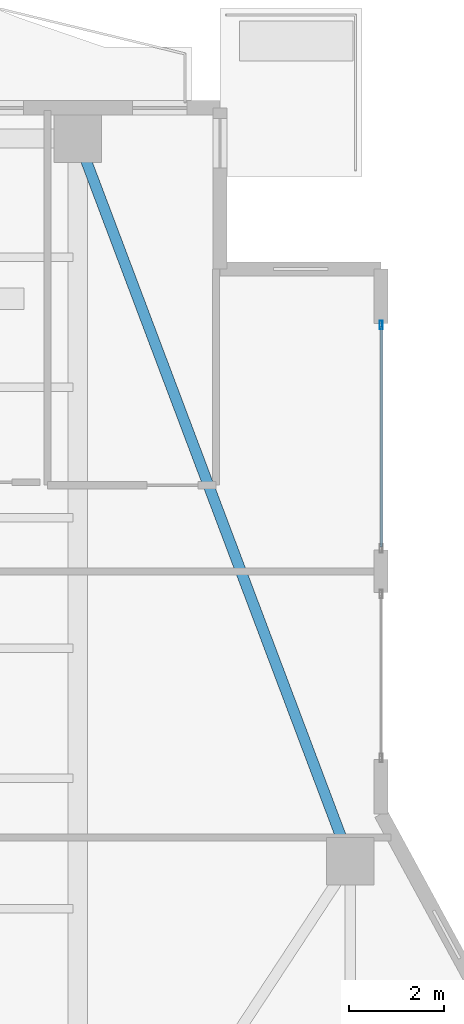
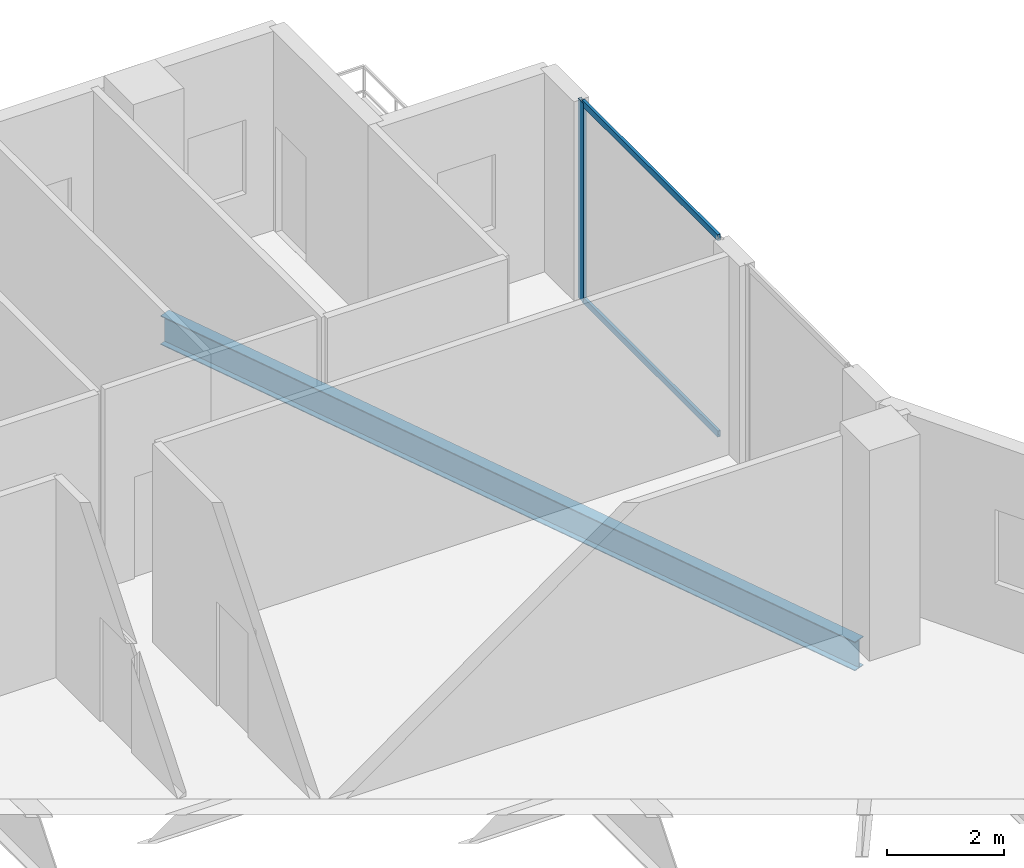
# One storey, part 15 of 24: 3 members, 1 beam, 1 element without a shape of its own.
"""IFC4 building model written with IfcOpenShell, lengths in metres."""

import ifcopenshell
import ifcopenshell.guid

model = None  # the IFC model being written
_history = None  # IfcOwnerHistory: only IFC2X3 demands one
_inside = {}  # id of a spatial element -> (the spatial element, [elements in it])
_under = {}  # id of a project, library or spatial element -> (it, [spatial elements below it])
_declared = {}  # id of a project -> (the project, [libraries it declares])
_typed = {}  # id of a type object -> (the type object, [elements of that type])
_made_of = {}  # id of a material, layer set ... -> (it, [elements and type objects made of it])


def new_model(schema):
    """Start an empty IFC model of exactly this schema.

    Asked for "IFC4X3", IfcOpenShell would pick the latest addendum, in which some entities
    have other attributes; the version numbers below select the first issue.
    IFC2X3 requires an IfcOwnerHistory on every rooted entity: one is made here for all.
    """
    global model, _history
    if schema == "IFC4X3":
        model = ifcopenshell.file(schema_version=(4, 3, 0, 0))
    else:
        model = ifcopenshell.file(schema=schema)
    _inside.clear()
    _under.clear()
    _declared.clear()
    _typed.clear()
    _made_of.clear()
    _history = None
    if model.schema == "IFC2X3":
        org = make("IfcOrganization", Name="unknown")
        user = make(
            "IfcPersonAndOrganization",
            ThePerson=make("IfcPerson", FamilyName="unknown"),
            TheOrganization=org,
        )
        app = make(
            "IfcApplication",
            ApplicationDeveloper=org,
            Version="unknown",
            ApplicationFullName="unknown",
            ApplicationIdentifier="unknown",
        )
        _history = make(
            "IfcOwnerHistory",
            OwningUser=user,
            OwningApplication=app,
            ChangeAction="ADDED",
            CreationDate=0,
        )
    return model


def make(cls, **values):
    """One entity of the class cls with the attributes given. An attribute that is None is left unset."""
    return model.create_entity(
        cls, **{name: value for name, value in values.items() if value is not None}
    )


def rooted(cls, **values):
    """An entity with a GlobalId (a new one), such as an element, a storey or a relation."""
    return make(cls, GlobalId=ifcopenshell.guid.new(), OwnerHistory=_history, **values)


def si_unit(unit_type, name, prefix=None):
    """IfcSIUnit, for example si_unit("LENGTHUNIT", "METRE", prefix="MILLI")."""
    return make("IfcSIUnit", UnitType=unit_type, Prefix=prefix, Name=name)


def assignment(units):
    """IfcUnitAssignment: the units of a project."""
    return None if units is None else make("IfcUnitAssignment", Units=units)


def point(xyz):
    """IfcCartesianPoint."""
    return None if xyz is None else make("IfcCartesianPoint", Coordinates=xyz)


def direction(xyz):
    """IfcDirection."""
    return None if xyz is None else make("IfcDirection", DirectionRatios=xyz)


def frame(location, z_axis=None, x_axis=None):
    """IfcAxis2Placement3D, a coordinate frame: its origin and axes. An axis left out is left unset."""
    return make(
        "IfcAxis2Placement3D",
        Location=point(location),
        Axis=direction(z_axis),
        RefDirection=direction(x_axis),
    )


def frame_2d(location, x_axis=None):
    """IfcAxis2Placement2D, a coordinate frame in the plane: its origin and x axis."""
    return make(
        "IfcAxis2Placement2D", Location=point(location), RefDirection=direction(x_axis)
    )


def origin():
    """The frame at (0, 0, 0) with its axes left unset."""
    return frame((0.0, 0.0, 0.0))


def origin_2d():
    """The frame at (0, 0) in the plane with its x axis left unset."""
    return frame_2d((0.0, 0.0))


def place(relative_to, where):
    """IfcLocalPlacement: puts the frame where relative to a parent placement (None: the world)."""
    return make(
        "IfcLocalPlacement", PlacementRelTo=relative_to, RelativePlacement=where
    )


def context(
    kind, dimensions, precision=None, world=None, true_north=None, identifier=None
):
    """IfcGeometricRepresentationContext, for example the 3D "Model" context."""
    return make(
        "IfcGeometricRepresentationContext",
        ContextIdentifier=identifier,
        ContextType=kind,
        CoordinateSpaceDimension=dimensions,
        Precision=precision,
        WorldCoordinateSystem=world,
        TrueNorth=true_north,
    )


def subcontext(parent, identifier, kind, view, scale=None):
    """IfcGeometricRepresentationSubContext, for example "Body" below "Model"."""
    return make(
        "IfcGeometricRepresentationSubContext",
        ContextIdentifier=identifier,
        ContextType=kind,
        ParentContext=parent,
        TargetScale=scale,
        TargetView=view,
    )


def project(units=None, contexts=None):
    """IfcProject with its units and contexts."""
    return rooted(
        "IfcProject",
        Name="project",
        RepresentationContexts=contexts,
        UnitsInContext=assignment(units),
    )


def spatial(cls, under=None, at=None, **own):
    """A site, building, storey or space (cls), placed at a placement, below another one or the project."""
    s = rooted(cls, ObjectPlacement=at, **own)
    if under is not None:
        _under.setdefault(under.id(), (under, []))[1].append(s)
    return s


def profile(cls, at=None, kind="AREA", **sizes):
    """A parametric profile (cls). Its sizes go by their IFC names, for example OverallWidth=200.0."""
    return make(cls, ProfileType=kind, Position=at, **sizes)


def hollow_rectangle(**sizes):
    """IfcRectangleHollowProfileDef."""
    return profile("IfcRectangleHollowProfileDef", **sizes)


def i_section(**sizes):
    """IfcIShapeProfileDef."""
    return profile("IfcIShapeProfileDef", **sizes)


def extrude(swept, where, along, depth):
    """IfcExtrudedAreaSolid: the profile swept, set in the frame where, extruded along a direction by depth."""
    return make(
        "IfcExtrudedAreaSolid",
        SweptArea=swept,
        Position=where,
        ExtrudedDirection=direction(along),
        Depth=depth,
    )


def shape(context_of_items, identifier, shape_type, items):
    """IfcShapeRepresentation: the items that make up one representation, for example the "Body"."""
    return make(
        "IfcShapeRepresentation",
        ContextOfItems=context_of_items,
        RepresentationIdentifier=identifier,
        RepresentationType=shape_type,
        Items=items,
    )


def material(Name=None, Category=None):
    """IfcMaterial."""
    return make("IfcMaterial", Name=Name, Category=Category)


def layer(
    of_material, thickness, ventilated=None, Name=None, Category=None, Priority=None
):
    """IfcMaterialLayer: one layer of a wall or slab, of a material (None: an air gap)."""
    return make(
        "IfcMaterialLayer",
        Material=of_material,
        LayerThickness=thickness,
        IsVentilated=ventilated,
        Name=Name,
        Category=Category,
        Priority=Priority,
    )


def layer_set(layers, Name=None):
    """IfcMaterialLayerSet."""
    return make("IfcMaterialLayerSet", MaterialLayers=layers, LayerSetName=Name)


def material_profile(
    of_material, cross_section, Name=None, Category=None, Priority=None
):
    """IfcMaterialProfile: a cross section and its material."""
    return make(
        "IfcMaterialProfile",
        Name=Name,
        Material=of_material,
        Profile=cross_section,
        Priority=Priority,
        Category=Category,
    )


def profile_set(profiles, Name=None, composite=None):
    """IfcMaterialProfileSet."""
    return make(
        "IfcMaterialProfileSet",
        Name=Name,
        MaterialProfiles=profiles,
        CompositeProfile=composite,
    )


def made_of(thing, what):
    """Note that an element or type object is made of a material, layer set ...; save() writes the relation."""
    if what is not None:
        _made_of.setdefault(what.id(), (what, []))[1].append(thing)
    return thing


def type_object(cls, material=None, **own):
    """A type object (cls), such as IfcWallType, which elements share."""
    return made_of(rooted(cls, **own), material)


def element(
    cls,
    number,
    at=None,
    inside=None,
    cuts=None,
    type_object=None,
    material=None,
    context=None,
    identifier="Body",
    shape_type=None,
    held_by="IfcProductDefinitionShape",
    body=None,
    shapes=None,
    **own,
):
    """One element of the class cls, such as IfcWall. Its Tag is "e" and its number.

    at: its placement. inside: the storey or other place that contains it. cuts: it is an
    opening in that element (IfcRelVoidsElement). A single representation is given by context,
    identifier, shape_type and body (its items); several are given by shapes. held_by: the class
    of the entity that holds the representations. save() writes the other relations.
    """
    e = rooted(cls, Tag="e%d" % number, ObjectPlacement=at, **own)
    if body is not None:
        shapes = [shape(context, identifier, shape_type, body)]
    if shapes is not None:
        e.Representation = make(held_by, Representations=shapes)
    if inside is not None:
        _inside.setdefault(inside.id(), (inside, []))[1].append(e)
    if cuts is not None:
        rooted(
            "IfcRelVoidsElement", RelatingBuildingElement=cuts, RelatedOpeningElement=e
        )
    if type_object is not None:
        _typed.setdefault(type_object.id(), (type_object, []))[1].append(e)
    return made_of(e, material)


def aggregate(whole, parts):
    """IfcRelAggregates: a whole, such as a stair, and the parts it consists of."""
    return rooted("IfcRelAggregates", RelatingObject=whole, RelatedObjects=parts)


def save(model, path):
    """Write the relations noted so far, then the file.

    IfcRelAggregates (storeys below a building ...), IfcRelContainedInSpatialStructure (elements
    in a storey), IfcRelDefinesByType, IfcRelAssociatesMaterial and IfcRelDeclares: one each for
    every whole, place, type object, material and project.
    """
    for whole, parts in _under.values():
        aggregate(whole, parts)
    for where, things in _inside.values():
        rooted(
            "IfcRelContainedInSpatialStructure",
            RelatedElements=things,
            RelatingStructure=where,
        )
    for kind, things in _typed.values():
        rooted("IfcRelDefinesByType", RelatedObjects=things, RelatingType=kind)
    for what, things in _made_of.values():
        rooted("IfcRelAssociatesMaterial", RelatedObjects=things, RelatingMaterial=what)
    for by, libraries in _declared.values():
        rooted("IfcRelDeclares", RelatingContext=by, RelatedDefinitions=libraries)
    model.write(path)


model = new_model("IFC4")

# Units and contexts
model_context = context("Model", 3, precision=1e-05, world=origin(), true_north=direction((0.0, 1.0)))
body_context = subcontext(model_context, "Body", "Model", "MODEL_VIEW")
ifc_project = project(units=[si_unit("LENGTHUNIT", "METRE"), si_unit("AREAUNIT", "SQUARE_METRE"), si_unit("VOLUMEUNIT", "CUBIC_METRE"), si_unit("PLANEANGLEUNIT", "RADIAN"), si_unit("MASSUNIT", "GRAM", prefix="KILO")], contexts=[model_context])

# Site, building, storey
site_placement = place(None, origin())
site = spatial("IfcSite", under=ifc_project, at=site_placement, CompositionType="ELEMENT")
building_placement = place(site_placement, origin())
building = spatial("IfcBuilding", under=site, at=building_placement, Name="Zuhayl Quay Hotel", CompositionType="ELEMENT")
storey_placement = place(building_placement, frame((0.0, 0.0, 292.85009765625)))
storey = spatial("IfcBuildingStorey", under=building, at=storey_placement, Name="L74", CompositionType="ELEMENT", Elevation=292.85009765625)

# Beam
ifc_material_1 = material(Name="Steel ASTM A992 Grade 50", Category="steel")
ifc_material_profile_1 = material_profile(ifc_material_1, i_section(OverallWidth=0.22802734375, OverallDepth=0.60693359375, WebThickness=0.01123046875, FlangeThickness=0.017333984375, at=origin_2d()), Name="W24X76")
ifc_profile_set_1 = profile_set([ifc_material_profile_1], Name="Steel ASTM A992 Grade 50")
beam_type = type_object("IfcBeamType", Name="BM_B3_W24X76", PredefinedType="BEAM", material=ifc_profile_set_1)
beam_placement = place(storey_placement, frame((19.3876953125, 23.530517578125, -0.523681640625), z_axis=(-0.352796603103, 0.935700035716, 0.0), x_axis=(-0.935700035716, -0.352796603103, 0.0)))
element("IfcBeam", 1, at=beam_placement, inside=storey, type_object=beam_type, Name="L74 Floor Beam RG_L74_06", PredefinedType="BEAM", context=body_context, shape_type="SweptSolid", body=[
    extrude(i_section(OverallWidth=0.22802734375, OverallDepth=0.60693359375, WebThickness=0.01123046875, FlangeThickness=0.017333984375, at=origin_2d()), origin(), (0.0, 0.0, 1.0), 15.3779296875),
])

# Curtain wall, members
ifc_material_2 = material(Name="Anodised Aluminium 6063-T6", Category="aluminium")
ifc_layer = layer(ifc_material_2, 0.169921875, Name="Anodised Aluminium 6063-T6", Category="aluminium")
ifc_layer_set = layer_set([ifc_layer], Name="Anodised Aluminium 6063-T6")
curtain_wall_type = type_object("IfcCurtainWallType", Name="CW_SYS_Z4", PredefinedType="USERDEFINED", material=ifc_layer_set)
curtain_wall_placement = place(storey_placement, origin())
curtain_wall = element("IfcCurtainWall", 2, at=curtain_wall_placement, inside=storey, type_object=curtain_wall_type, Name="L74 Curtain Wall ENV_L74_E11_CW1", ObjectType="UNITISED CURTAIN WALL", PredefinedType="USERDEFINED")
ifc_material_3 = material(Name="Black-anodised aluminium 6063-T6", Category="aluminium")
ifc_material_profile_2 = material_profile(ifc_material_3, hollow_rectangle(XDim=0.06494140625, YDim=0.179931640625, WallThickness=0.00341796875, at=origin_2d()), Name="ALU180X65")
ifc_profile_set_2 = profile_set([ifc_material_profile_2], Name="Black-anodised aluminium 6063-T6")
member_type_1 = type_object("IfcMemberType", Name="MB_CW_MUL_180", PredefinedType="MULLION", material=ifc_profile_set_2)
member_1_placement = place(storey_placement, frame((20.199951171875, 34.41748046875, 0.0), z_axis=(0.0, 0.0, 1.0), x_axis=(1.0, 0.0, 0.0)))
member_1 = element("IfcMember", 3, at=member_1_placement, type_object=member_type_1, Name="CW-Z4 mullion 1", PredefinedType="MULLION", context=body_context, shape_type="SweptSolid", body=[
    extrude(hollow_rectangle(XDim=0.06494140625, YDim=0.179931640625, WallThickness=0.00341796875, at=origin_2d()), origin(), (0.0, 0.0, 1.0), 4.159912109375),
])
ifc_material_profile_3 = material_profile(ifc_material_3, hollow_rectangle(XDim=0.054931640625, YDim=0.1298828125, WallThickness=0.0029296875, at=origin_2d()), Name="ALU130X55")
ifc_profile_set_3 = profile_set([ifc_material_profile_3], Name="Black-anodised aluminium 6063-T6")
member_type_2 = type_object("IfcMemberType", Name="MB_CW_TRN_130", PredefinedType="USERDEFINED", material=ifc_profile_set_3)
member_2_placement = place(storey_placement, frame((20.199951171875, 34.385009765625, 0.02734375), z_axis=(0.0, -1.0, 0.0), x_axis=(1.0, 0.0, 0.0)))
member_2 = element("IfcMember", 4, at=member_2_placement, type_object=member_type_2, Name="CW-Z4 transom 1.1", ObjectType="TRANSOM", PredefinedType="USERDEFINED", context=body_context, shape_type="SweptSolid", body=[
    extrude(hollow_rectangle(XDim=0.054931640625, YDim=0.1298828125, WallThickness=0.0029296875, at=origin_2d()), origin(), (0.0, 0.0, 1.0), 4.64990234375),
])
member_3_placement = place(storey_placement, frame((20.199951171875, 34.385009765625, 4.13232421875), z_axis=(0.0, -1.0, 0.0), x_axis=(1.0, 0.0, 0.0)))
member_3 = element("IfcMember", 5, at=member_3_placement, type_object=member_type_2, Name="CW-Z4 transom 1.2", ObjectType="TRANSOM", PredefinedType="USERDEFINED", context=body_context, shape_type="SweptSolid", body=[
    extrude(hollow_rectangle(XDim=0.054931640625, YDim=0.1298828125, WallThickness=0.0029296875, at=origin_2d()), origin(), (0.0, 0.0, 1.0), 4.64990234375),
])
aggregate(curtain_wall, [member_1, member_2, member_3])

save(model, "model.ifc")
